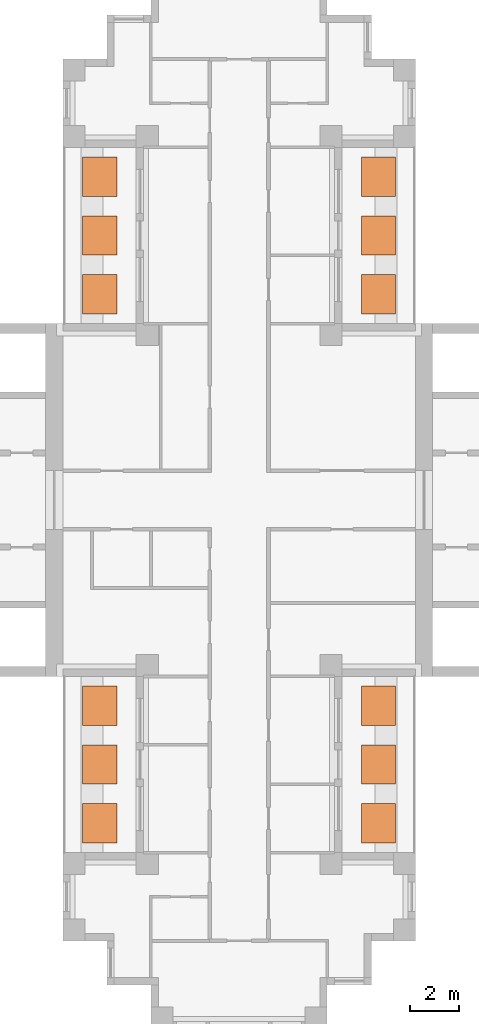
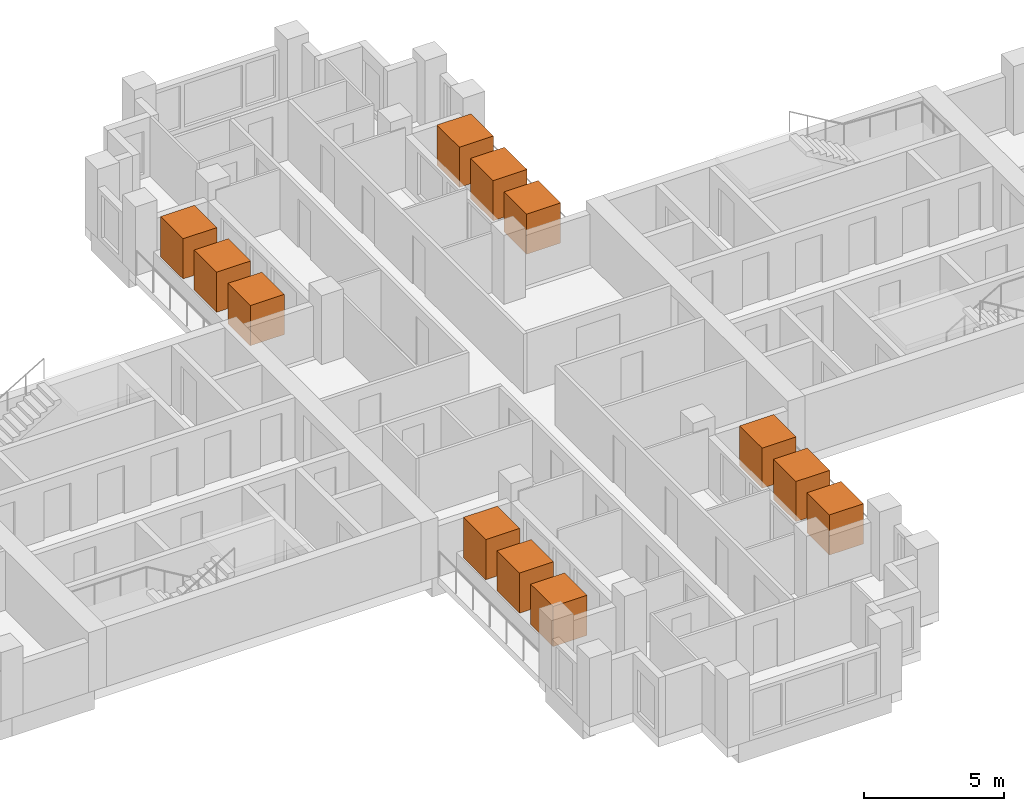
# One storey, part 11 of 11: 12 geographic elements.
"""IFC4 building model written with IfcOpenShell, lengths in metres."""

from ifc_helpers import new_model, si_unit, direction, frame, origin, origin_2d, place, context, subcontext, project, spatial, rectangle, extrude, material, element, save


model = new_model("IFC4")

# Units and contexts
model_context = context("Model", 3, precision=1e-05, world=origin(), true_north=direction((0.0, 1.0)))
body_context = subcontext(model_context, "Body", "Model", "MODEL_VIEW")
ifc_project = project(units=[si_unit("LENGTHUNIT", "METRE"), si_unit("AREAUNIT", "SQUARE_METRE"), si_unit("VOLUMEUNIT", "CUBIC_METRE"), si_unit("PLANEANGLEUNIT", "RADIAN"), si_unit("MASSUNIT", "GRAM", prefix="KILO")], contexts=[model_context])

# Site, building, storey
site_placement = place(None, origin())
site = spatial("IfcSite", under=ifc_project, at=site_placement, CompositionType="ELEMENT")
building_placement = place(site_placement, origin())
building = spatial("IfcBuilding", under=site, at=building_placement, Name="Fustian Cross Tower", CompositionType="ELEMENT")
storey_placement = place(building_placement, frame((0.0, 0.0, 173.699951171875)))
storey = spatial("IfcBuildingStorey", under=building, at=storey_placement, Name="L54", CompositionType="ELEMENT", Elevation=173.699951171875)

# Geographic elements
ifc_material = material(Name="Evergreen foliage")
for number, where, z_axis, x_axis, name in (
    (1, (5.68994140625, 8.39990234375, 0.800048828125), (0.0, 0.0, 1.0), (1.0, 0.0, 0.0), "TREE field maple"),
    (2, (5.68994140625, 10.800048828125, 0.800048828125), (0.0, 0.0, 1.0), (1.0, 0.0, 0.0), "TREE field maple"),
    (3, (5.68994140625, 13.199951171875, 0.800048828125), (0.0, 0.0, 1.0), (1.0, 0.0, 0.0), "TREE field maple"),
    (4, (-5.68994140625, 8.39990234375, 0.800048828125), (0.0, 0.0, 1.0), (1.0, 0.0, 0.0), "TREE field maple"),
    (5, (-5.68994140625, 10.800048828125, 0.800048828125), (0.0, 0.0, 1.0), (1.0, 0.0, 0.0), "TREE field maple"),
    (6, (-5.68994140625, 13.199951171875, 0.800048828125), (0.0, 0.0, 1.0), (1.0, 0.0, 0.0), "TREE field maple"),
    (7, (5.68994140625, -13.199951171875, 0.800048828125), (0.0, 0.0, 1.0), (1.0, 0.0, 0.0), "TREE field maple"),
    (8, (5.68994140625, -10.800048828125, 0.800048828125), (0.0, 0.0, 1.0), (1.0, 0.0, 0.0), "TREE field maple"),
    (9, (5.68994140625, -8.39990234375, 0.800048828125), (0.0, 0.0, 1.0), (1.0, 0.0, 0.0), "TREE field maple"),
    (10, (-5.68994140625, -13.199951171875, 0.800048828125), (0.0, 0.0, 1.0), (1.0, 0.0, 0.0), "TREE field maple"),
    (11, (-5.68994140625, -10.800048828125, 0.800048828125), (0.0, 0.0, 1.0), (1.0, 0.0, 0.0), "TREE field maple"),
    (12, (-5.68994140625, -8.39990234375, 0.800048828125), (0.0, 0.0, 1.0), (1.0, 0.0, 0.0), "TREE field maple"),
):
    element("IfcGeographicElement", number, at=place(storey_placement, frame(where, z_axis=z_axis, x_axis=x_axis)), inside=storey, material=ifc_material, Name=name, ObjectType="VEGETATION", PredefinedType="USERDEFINED", context=body_context, shape_type="SweptSolid", body=[
        extrude(rectangle(XDim=1.39990234375, YDim=1.60009765625, at=origin_2d()), origin(), (0.0, 0.0, 1.0), 1.75),
    ])

save(model, "model.ifc")
